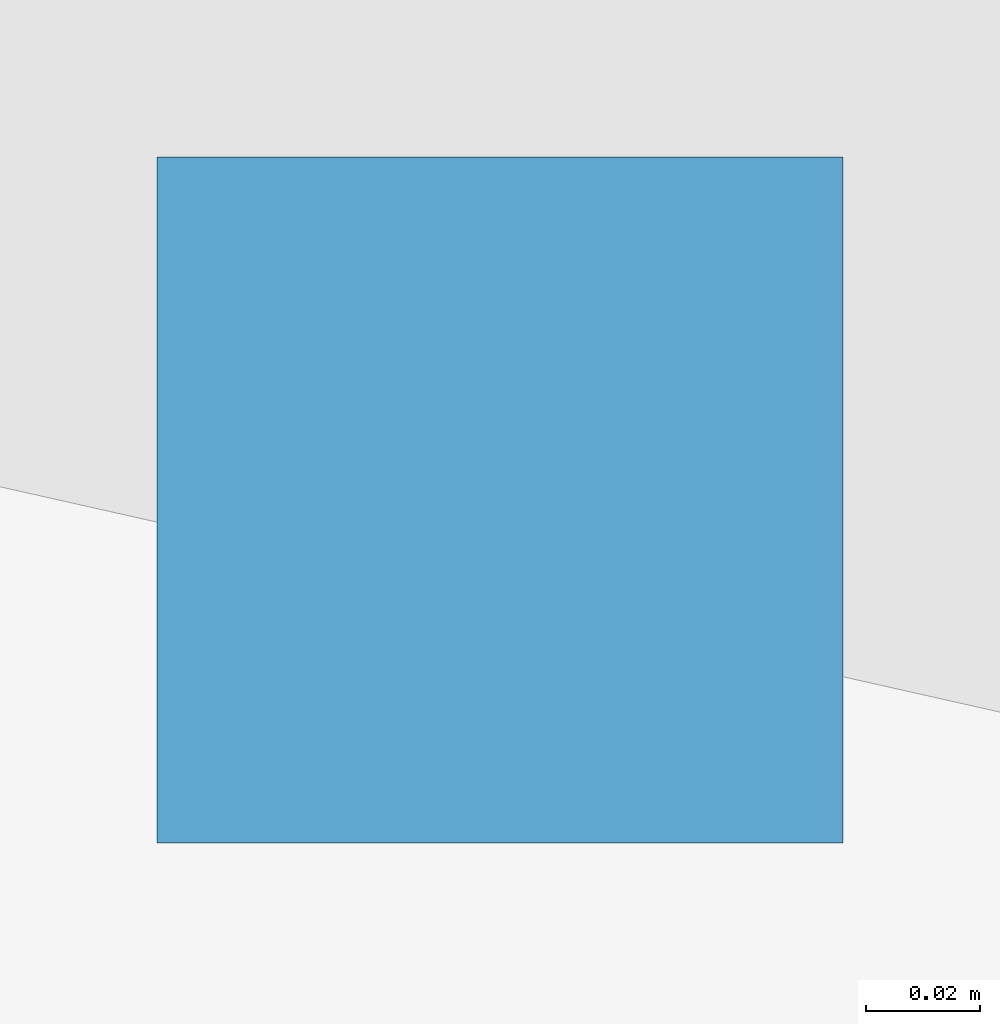
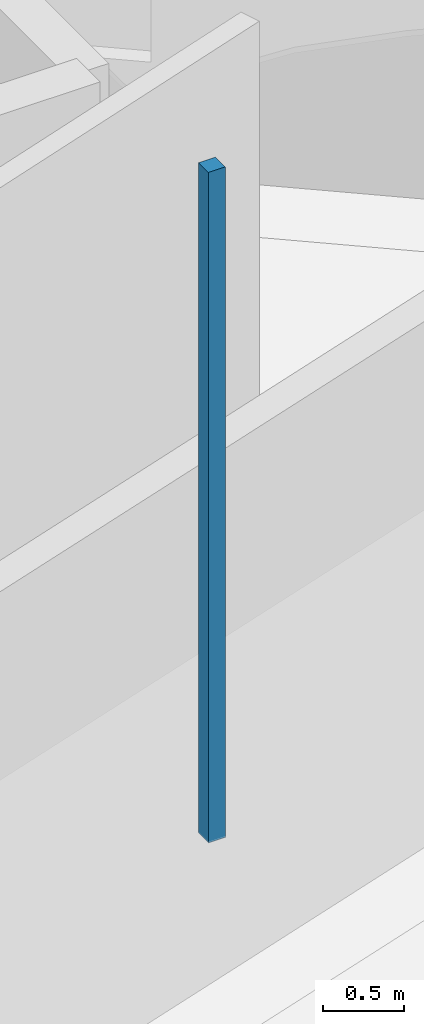
# One storey, part 74 of 90: 1 discrete accessory.
"""IFC4 building model written with IfcOpenShell, lengths in metres."""

from ifc_helpers import new_model, si_unit, direction, frame, origin, origin_2d, place, context, subcontext, project, spatial, rectangle, extrude, material, type_object, element, save


model = new_model("IFC4")

# Units and contexts
model_context = context("Model", 3, precision=1e-05, world=origin(), true_north=direction((0.0, 1.0)))
body_context = subcontext(model_context, "Body", "Model", "MODEL_VIEW")
ifc_project = project(units=[si_unit("LENGTHUNIT", "METRE"), si_unit("AREAUNIT", "SQUARE_METRE"), si_unit("VOLUMEUNIT", "CUBIC_METRE"), si_unit("PLANEANGLEUNIT", "RADIAN"), si_unit("MASSUNIT", "GRAM", prefix="KILO")], contexts=[model_context])

# Site, building, storey
site_placement = place(None, origin())
site = spatial("IfcSite", under=ifc_project, at=site_placement, CompositionType="ELEMENT")
building_placement = place(site_placement, origin())
building = spatial("IfcBuilding", under=site, at=building_placement, Name="Wrenclough Park School", CompositionType="ELEMENT")
storey_placement = place(building_placement, frame((0.0, 0.0, 8.39990234375)))
storey = spatial("IfcBuildingStorey", under=building, at=storey_placement, Name="L02", CompositionType="ELEMENT", Elevation=8.39990234375)

# Discrete accessory
ifc_material = material(Name="Galvanised steel acoustic ceiling suspension hanger", Category="steel")
discrete_accessory_type = type_object("IfcDiscreteAccessoryType", Name="INT-BRK-HGR", PredefinedType="BRACKET", material=ifc_material)
discrete_accessory_placement = place(storey_placement, frame((40.214599609375, 26.43212890625, 3.09033203125), z_axis=(0.0, 0.0, 1.0), x_axis=(1.0, 0.0, 0.0)))
element("IfcDiscreteAccessory", 1, at=discrete_accessory_placement, inside=storey, type_object=discrete_accessory_type, Name="Acoustic ceiling hanger bracket 0048", PredefinedType="BRACKET", context=body_context, shape_type="SweptSolid", body=[
    extrude(rectangle(XDim=0.1201171875, YDim=0.1201171875, at=origin_2d()), origin(), (0.0, 0.0, 1.0), 5.034912109375),
])

save(model, "model.ifc")
